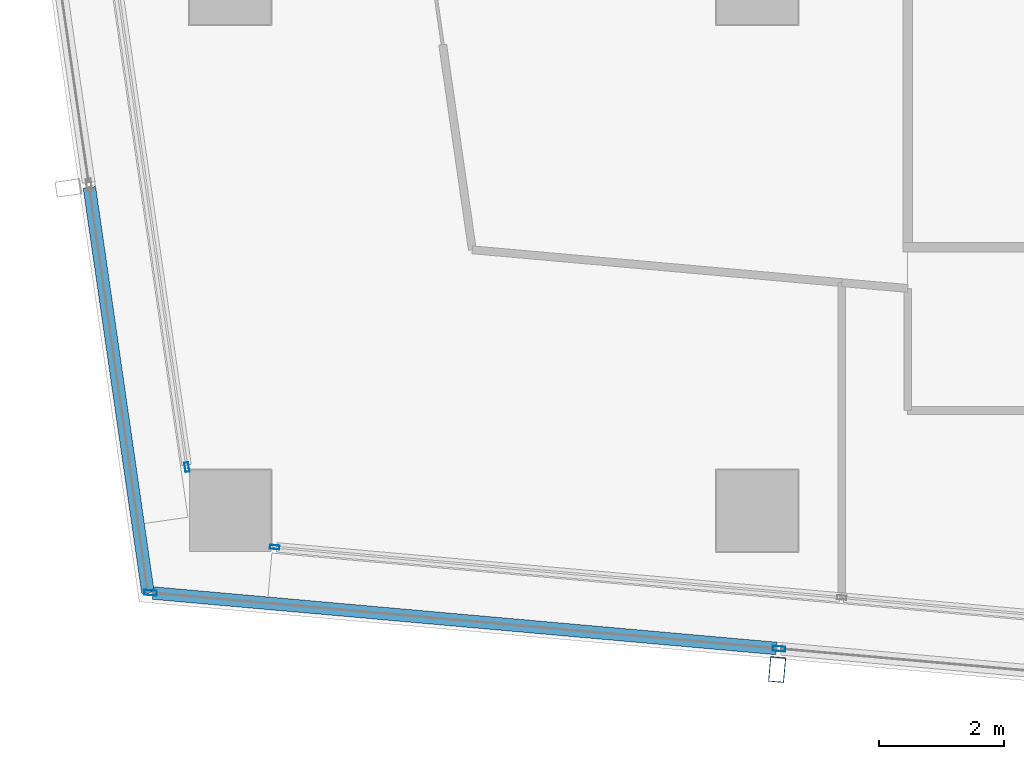
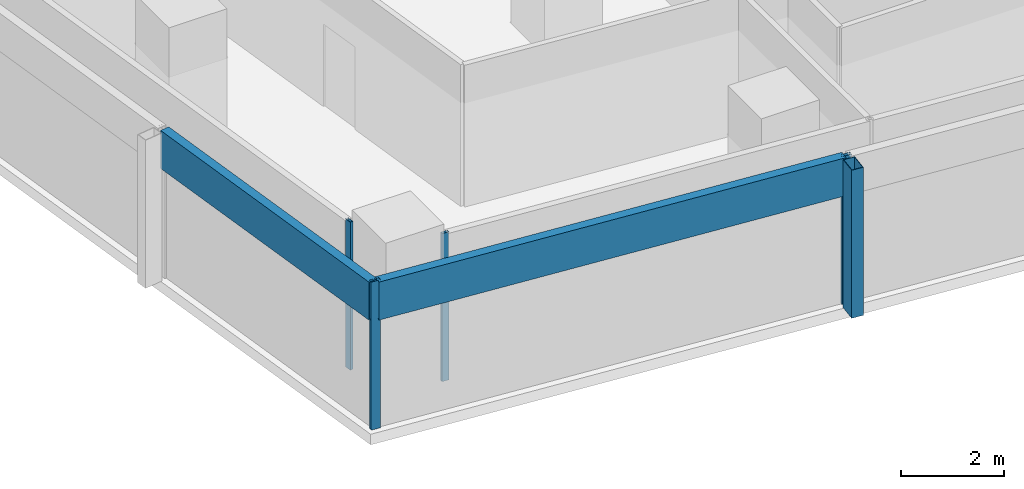
# One storey, part 2 of 29: 7 members, 4 elements without a shape of their own.
"""IFC4 building model written with IfcOpenShell, lengths in metres."""

from ifc_helpers import new_model, si_unit, direction, frame, origin, origin_2d, place, context, subcontext, project, spatial, hollow_rectangle, extrude, material, material_profile, profile_set, type_object, element, aggregate, save


model = new_model("IFC4")

# Units and contexts
model_context = context("Model", 3, precision=1e-05, world=origin(), true_north=direction((0.0, 1.0)))
body_context = subcontext(model_context, "Body", "Model", "MODEL_VIEW")
ifc_project = project(units=[si_unit("LENGTHUNIT", "METRE"), si_unit("AREAUNIT", "SQUARE_METRE"), si_unit("VOLUMEUNIT", "CUBIC_METRE"), si_unit("PLANEANGLEUNIT", "RADIAN"), si_unit("MASSUNIT", "GRAM", prefix="KILO")], contexts=[model_context])

# Site, building, storey
site_placement = place(None, origin())
site = spatial("IfcSite", under=ifc_project, at=site_placement, CompositionType="ELEMENT")
building_placement = place(site_placement, origin())
building = spatial("IfcBuilding", under=site, at=building_placement, Name="Rekha Terrace Tower", CompositionType="ELEMENT")
storey_placement = place(building_placement, frame((0.0, 0.0, 257.60009765625)))
storey = spatial("IfcBuildingStorey", under=building, at=storey_placement, Name="L65", CompositionType="ELEMENT", Elevation=257.60009765625)

# Curtain wall, member
ifc_material_1 = material(Name="Aluminium framing", Category="aluminium")
curtain_wall_type_1 = type_object("IfcCurtainWallType", Name="CW2 double skin outer glazing", PredefinedType="USERDEFINED", material=ifc_material_1)
curtain_wall_1_placement = place(storey_placement, origin())
curtain_wall_1 = element("IfcCurtainWall", 1, at=curtain_wall_1_placement, inside=storey, type_object=curtain_wall_type_1, Name="CW2 double skin outer glazing", ObjectType="DOUBLE SKIN OUTER GLAZING", PredefinedType="USERDEFINED")
ifc_material_2 = material(Name="Steel S355 with fluorocarbon finish", Category="steel")
ifc_material_profile_1 = material_profile(ifc_material_2, hollow_rectangle(XDim=0.25, YDim=0.39990234375, WallThickness=0.012451171875, at=origin_2d()), Name="RHS400x250x12.5")
ifc_profile_set_1 = profile_set([ifc_material_profile_1], Name="Steel S355 with fluorocarbon finish")
member_type_1 = type_object("IfcMemberType", Name="BL1 facade blade RHS 400 x 250", PredefinedType="USERDEFINED", material=ifc_profile_set_1)
member_1_placement = place(storey_placement, frame((17.118896484375, 14.2705078125, 0.0), z_axis=(0.0, 0.0, 1.0), x_axis=(0.996074197996, -0.088522268879, 0.0)))
member_1 = element("IfcMember", 2, at=member_1_placement, type_object=member_type_1, Name="Facade blade", ObjectType="FACADE BLADE", PredefinedType="USERDEFINED", context=body_context, shape_type="SweptSolid", body=[
    extrude(hollow_rectangle(XDim=0.25, YDim=0.39990234375, WallThickness=0.012451171875, at=origin_2d()), origin(), (0.0, 0.0, 1.0), 3.5),
])

curtain_wall_type_2 = type_object("IfcCurtainWallType", Name="CW1 double skin inner glazing", PredefinedType="USERDEFINED", material=ifc_material_1)
curtain_wall_2_placement = place(storey_placement, origin())
curtain_wall_2 = element("IfcCurtainWall", 3, at=curtain_wall_2_placement, inside=storey, type_object=curtain_wall_type_2, Name="CW1 double skin inner glazing", ObjectType="DOUBLE SKIN INNER GLAZING", PredefinedType="USERDEFINED")
ifc_material_3 = material(Name="Aluminium mullion section", Category="aluminium")
ifc_material_profile_2 = material_profile(ifc_material_3, hollow_rectangle(XDim=0.06494140625, YDim=0.14990234375, WallThickness=0.00390625, at=origin_2d()), Name="AL RHS 65x150")
ifc_profile_set_2 = profile_set([ifc_material_profile_2], Name="Aluminium mullion section")
member_type_2 = type_object("IfcMemberType", Name="CW1 mullion RHS 65 x 150", PredefinedType="MULLION", material=ifc_profile_set_2)
member_2_placement = place(storey_placement, frame((9.109130859375, 16.222412109375, 0.0), z_axis=(0.0, 0.0, 1.0), x_axis=(0.088522441405, 0.996074182663, 0.0)))
member_2 = element("IfcMember", 4, at=member_2_placement, type_object=member_type_2, Name="CW1 mullion 1", PredefinedType="MULLION", context=body_context, shape_type="SweptSolid", body=[
    extrude(hollow_rectangle(XDim=0.06494140625, YDim=0.14990234375, WallThickness=0.00390625, at=origin_2d()), origin(), (0.0, 0.0, 1.0), 3.5),
])
aggregate(curtain_wall_2, [member_2])

curtain_wall_3_placement = place(storey_placement, origin())
curtain_wall_3 = element("IfcCurtainWall", 5, at=curtain_wall_3_placement, inside=storey, type_object=curtain_wall_type_2, Name="CW1 double skin inner glazing", ObjectType="DOUBLE SKIN INNER GLAZING", PredefinedType="USERDEFINED")
member_3_placement = place(storey_placement, frame((7.71044921875, 17.497314453125, 0.0), z_axis=(0.0, 0.0, 1.0), x_axis=(0.989707031394, 0.143108322643, 0.0)))
member_3 = element("IfcMember", 6, at=member_3_placement, type_object=member_type_2, Name="CW1 mullion 2", PredefinedType="MULLION", context=body_context, shape_type="SweptSolid", body=[
    extrude(hollow_rectangle(XDim=0.06494140625, YDim=0.14990234375, WallThickness=0.00390625, at=origin_2d()), origin(), (0.0, 0.0, 1.0), 3.5),
])
aggregate(curtain_wall_3, [member_3])

# Member
ifc_material_profile_3 = material_profile(ifc_material_3, hollow_rectangle(XDim=0.080078125, YDim=0.199951171875, WallThickness=0.00390625, at=origin_2d()), Name="AL RHS 80x200")
ifc_profile_set_3 = profile_set([ifc_material_profile_3], Name="Aluminium mullion section")
member_type_3 = type_object("IfcMemberType", Name="CW2 mullion RHS 80 x 200", PredefinedType="MULLION", material=ifc_profile_set_3)
member_4_placement = place(storey_placement, frame((7.130126953125, 15.49462890625, 0.0), z_axis=(0.0, 0.0, 1.0), x_axis=(0.088522441457, 0.996074182658, 0.0)))
member_4 = element("IfcMember", 7, at=member_4_placement, type_object=member_type_3, Name="CW2 mullion 1", PredefinedType="MULLION", context=body_context, shape_type="SweptSolid", body=[
    extrude(hollow_rectangle(XDim=0.080078125, YDim=0.199951171875, WallThickness=0.00390625, at=origin_2d()), origin(), (0.0, 0.0, 1.0), 3.5),
])

member_5_placement = place(storey_placement, frame((17.1484375, 14.604248046875, 0.0), z_axis=(0.0, 0.0, 1.0), x_axis=(0.088522441457, 0.996074182658, 0.0)))
member_5 = element("IfcMember", 8, at=member_5_placement, type_object=member_type_3, Name="CW2 mullion 2", PredefinedType="MULLION", context=body_context, shape_type="SweptSolid", body=[
    extrude(hollow_rectangle(XDim=0.080078125, YDim=0.199951171875, WallThickness=0.00390625, at=origin_2d()), origin(), (0.0, 0.0, 1.0), 3.5),
])

ifc_material_4 = material(Name="Insulated aluminium spandrel box", Category="aluminium")
ifc_material_profile_4 = material_profile(ifc_material_4, hollow_rectangle(XDim=0.199951171875, YDim=0.89990234375, WallThickness=0.0029296875, at=origin_2d()), Name="AL SPANDREL BOX 200x900")
ifc_profile_set_4 = profile_set([ifc_material_profile_4], Name="Insulated aluminium spandrel box")
member_type_4 = type_object("IfcMemberType", Name="CW2 spandrel transom 200 x 900", PredefinedType="USERDEFINED", material=ifc_profile_set_4)
member_6_placement = place(storey_placement, frame((7.169921875, 15.490966796875, 3.0498046875), z_axis=(0.996076044645, -0.088501487472, 0.0), x_axis=(0.088501487472, 0.996076044645, 0.0)))
member_6 = element("IfcMember", 9, at=member_6_placement, type_object=member_type_4, Name="CW2 spandrel transom 1", ObjectType="TRANSOM", PredefinedType="USERDEFINED", context=body_context, shape_type="SweptSolid", body=[
    extrude(hollow_rectangle(XDim=0.199951171875, YDim=0.89990234375, WallThickness=0.0029296875, at=origin_2d()), origin(), (0.0, 0.0, 1.0), 9.977783203125),
])

aggregate(curtain_wall_1, [member_4, member_5, member_6, member_1])

# Curtain wall, member
curtain_wall_4_placement = place(storey_placement, origin())
curtain_wall_4 = element("IfcCurtainWall", 10, at=curtain_wall_4_placement, inside=storey, type_object=curtain_wall_type_1, Name="CW2 double skin outer glazing", ObjectType="DOUBLE SKIN OUTER GLAZING", PredefinedType="USERDEFINED")
member_7_placement = place(storey_placement, frame((6.15625, 21.95703125, 3.0498046875), z_axis=(0.143128512687, -0.989704111771, 0.0), x_axis=(0.989704111771, 0.143128512687, 0.0)))
member_7 = element("IfcMember", 11, at=member_7_placement, type_object=member_type_4, Name="CW2 spandrel transom 2", ObjectType="TRANSOM", PredefinedType="USERDEFINED", context=body_context, shape_type="SweptSolid", body=[
    extrude(hollow_rectangle(XDim=0.199951171875, YDim=0.89990234375, WallThickness=0.0029296875, at=origin_2d()), origin(), (0.0, 0.0, 1.0), 6.526123046875),
])
aggregate(curtain_wall_4, [member_7])

save(model, "model.ifc")
